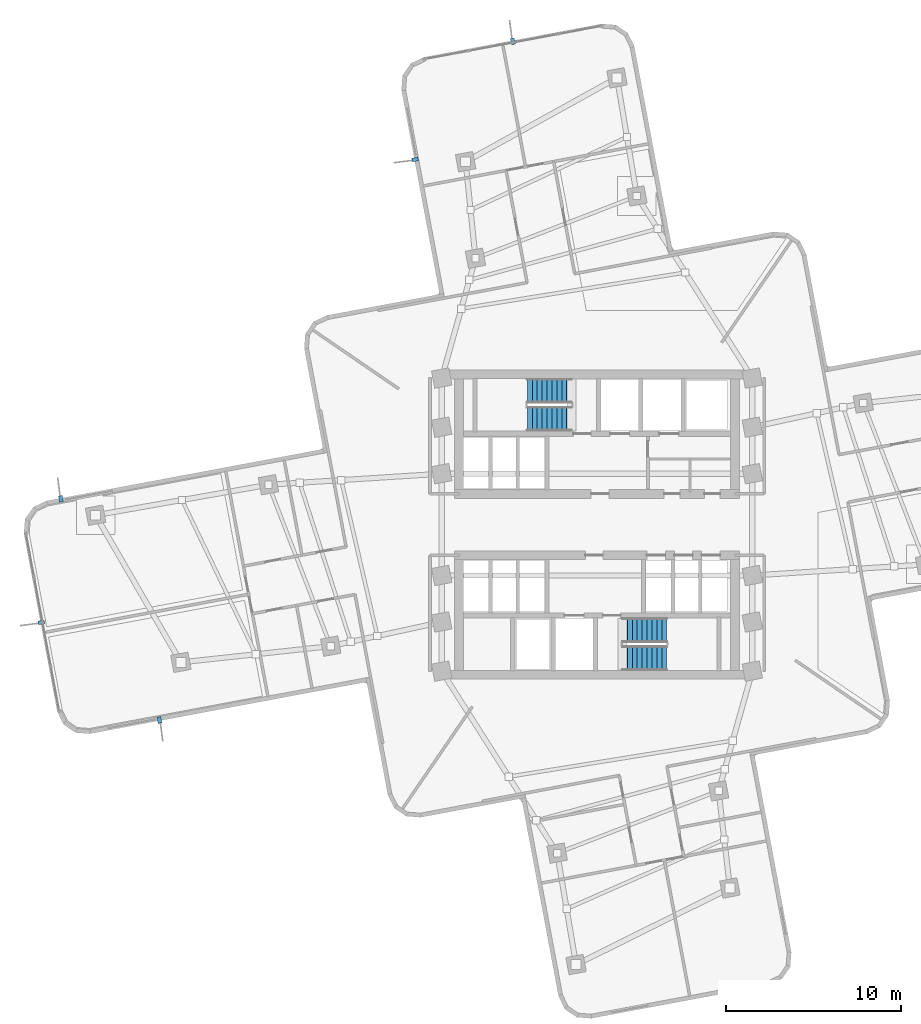
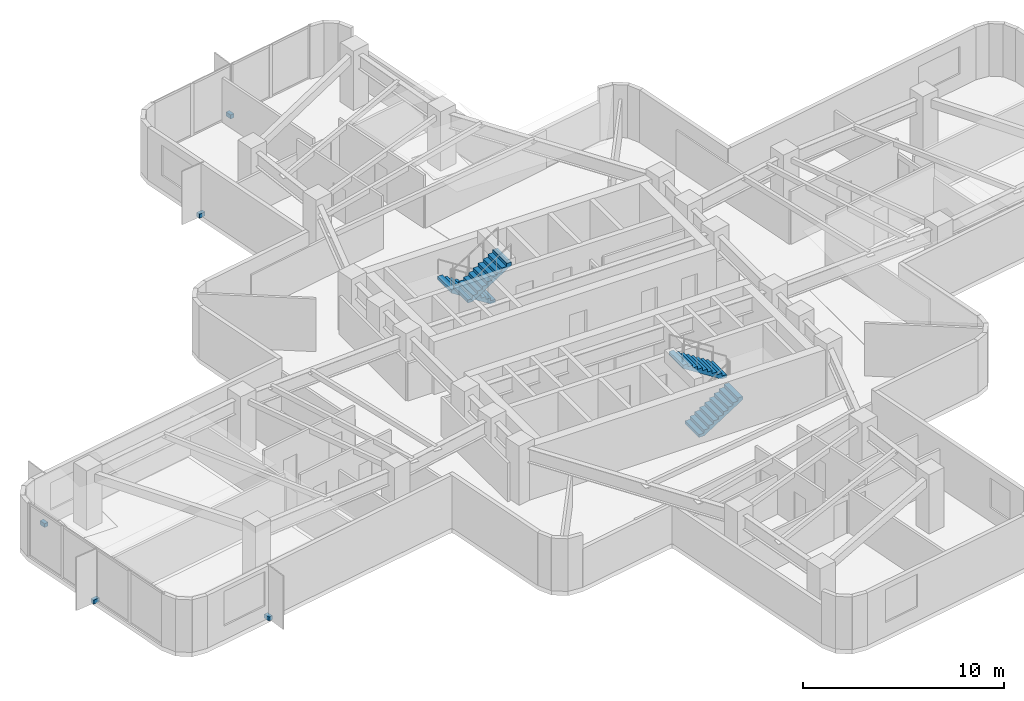
# One storey, part 9 of 12: 5 discrete accessories, 4 stair flights, 2 elements without a shape of their own.
"""IFC4 building model written with IfcOpenShell, lengths in metres."""

from ifc_helpers import new_model, si_unit, direction, frame, origin, origin_2d, place, context, subcontext, project, spatial, polyline, rectangle, outline, extrude, material, type_object, element, aggregate, save


model = new_model("IFC4")

# Units and contexts
model_context = context("Model", 3, precision=1e-05, world=origin(), true_north=direction((0.0, 1.0)))
body_context = subcontext(model_context, "Body", "Model", "MODEL_VIEW")
ifc_project = project(units=[si_unit("LENGTHUNIT", "METRE"), si_unit("AREAUNIT", "SQUARE_METRE"), si_unit("VOLUMEUNIT", "CUBIC_METRE"), si_unit("PLANEANGLEUNIT", "RADIAN"), si_unit("MASSUNIT", "GRAM", prefix="KILO")], contexts=[model_context])

# Site, building, storey
site_placement = place(None, origin())
site = spatial("IfcSite", under=ifc_project, at=site_placement, CompositionType="ELEMENT")
building_placement = place(site_placement, origin())
building = spatial("IfcBuilding", under=site, at=building_placement, Name="Solmarez Civic Tower", CompositionType="ELEMENT")
storey_placement = place(building_placement, frame((0.0, 0.0, 103.679931640625)))
storey = spatial("IfcBuildingStorey", under=building, at=storey_placement, Name="L27", CompositionType="ELEMENT", Elevation=103.679931640625)

# Stair, stair flights
ifc_material_1 = material(Name="Concrete C50/60", Category="concrete")
stair_type = type_object("IfcStairType", Name="STAIR-DOGLEG-140W-20R-1800", PredefinedType="HALF_TURN_STAIR", material=ifc_material_1)
stair_1_placement = place(storey_placement, origin())
stair_1 = element("IfcStair", 1, at=stair_1_placement, inside=storey, type_object=stair_type, Name="L27 North Core Protected Exit Stair ST-1", PredefinedType="HALF_TURN_STAIR")
stair_flight_type = type_object("IfcStairFlightType", Name="FLIGHT-DOGLEG-140W-10R-1800", PredefinedType="STRAIGHT", material=ifc_material_1)
stair_flight_1_placement = place(storey_placement, frame((-1.449951171875, 7.6201171875, 0.0), z_axis=(0.0, 0.0, 1.0), x_axis=(-1.0, 0.0, 0.0)))
stair_flight_1 = element("IfcStairFlight", 2, at=stair_flight_1_placement, type_object=stair_flight_type, Name="ST-1 flight 1", NumberOfRisers=10, NumberOfTreads=9, PredefinedType="STRAIGHT", RiserHeight=0.18, TreadLength=0.28, context=body_context, shape_type="SweptSolid", body=[
    extrude(outline(polyline([(0.0, 0.0), (0.0, 0.179931640625), (0.280029296875, 0.179931640625), (0.280029296875, 0.360107421875), (0.56005859375, 0.360107421875), (0.56005859375, 0.5400390625), (0.840087890625, 0.5400390625), (0.840087890625, 0.719970703125), (1.1201171875, 0.719970703125), (1.1201171875, 0.89990234375), (1.39990234375, 0.89990234375), (1.39990234375, 1.080078125), (1.679931640625, 1.080078125), (1.679931640625, 1.260009765625), (1.9599609375, 1.260009765625), (1.9599609375, 1.43994140625), (2.239990234375, 1.43994140625), (2.239990234375, 1.6201171875), (2.52001953125, 1.6201171875), (2.52001953125, 1.800048828125), (2.52001953125, 1.429931640625), (0.295654296875, 0.0), (0.0, 0.0)])), frame((0.0, 0.699951171875, 0.0), z_axis=(0.0, -1.0, 0.0), x_axis=(1.0, 0.0, 0.0)), (0.0, 0.0, 1.0), 1.39990234375),
])
stair_flight_2_placement = place(storey_placement, frame((-3.969970703125, 6.02001953125, 1.800048828125), z_axis=(0.0, 0.0, 1.0), x_axis=(1.0, 0.0, 0.0)))
stair_flight_2 = element("IfcStairFlight", 3, at=stair_flight_2_placement, type_object=stair_flight_type, Name="ST-1 flight 2", NumberOfRisers=10, NumberOfTreads=9, PredefinedType="STRAIGHT", RiserHeight=0.18, TreadLength=0.28, context=body_context, shape_type="SweptSolid", body=[
    extrude(outline(polyline([(0.0, 0.0), (0.0, 0.179931640625), (0.280029296875, 0.179931640625), (0.280029296875, 0.360107421875), (0.56005859375, 0.360107421875), (0.56005859375, 0.5400390625), (0.840087890625, 0.5400390625), (0.840087890625, 0.719970703125), (1.1201171875, 0.719970703125), (1.1201171875, 0.89990234375), (1.39990234375, 0.89990234375), (1.39990234375, 1.080078125), (1.679931640625, 1.080078125), (1.679931640625, 1.260009765625), (1.9599609375, 1.260009765625), (1.9599609375, 1.43994140625), (2.239990234375, 1.43994140625), (2.239990234375, 1.6201171875), (2.52001953125, 1.6201171875), (2.52001953125, 1.800048828125), (2.52001953125, 1.429931640625), (0.295654296875, 0.0), (0.0, 0.0)])), frame((0.0, 0.699951171875, 0.0), z_axis=(0.0, -1.0, 0.0), x_axis=(1.0, 0.0, 0.0)), (0.0, 0.0, 1.0), 1.39990234375),
])
aggregate(stair_1, [stair_flight_1, stair_flight_2])

stair_2_placement = place(storey_placement, origin())
stair_2 = element("IfcStair", 4, at=stair_2_placement, inside=storey, type_object=stair_type, Name="L27 South Core Protected Exit Stair ST-2", PredefinedType="HALF_TURN_STAIR")
stair_flight_3_placement = place(storey_placement, frame((1.449951171875, -7.6201171875, 0.0), z_axis=(0.0, 0.0, 1.0), x_axis=(1.0, 0.0, 0.0)))
stair_flight_3 = element("IfcStairFlight", 5, at=stair_flight_3_placement, type_object=stair_flight_type, Name="ST-2 flight 1", NumberOfRisers=10, NumberOfTreads=9, PredefinedType="STRAIGHT", RiserHeight=0.18, TreadLength=0.28, context=body_context, shape_type="SweptSolid", body=[
    extrude(outline(polyline([(0.0, 0.0), (0.0, 0.179931640625), (0.280029296875, 0.179931640625), (0.280029296875, 0.360107421875), (0.56005859375, 0.360107421875), (0.56005859375, 0.5400390625), (0.840087890625, 0.5400390625), (0.840087890625, 0.719970703125), (1.1201171875, 0.719970703125), (1.1201171875, 0.89990234375), (1.39990234375, 0.89990234375), (1.39990234375, 1.080078125), (1.679931640625, 1.080078125), (1.679931640625, 1.260009765625), (1.9599609375, 1.260009765625), (1.9599609375, 1.43994140625), (2.239990234375, 1.43994140625), (2.239990234375, 1.6201171875), (2.52001953125, 1.6201171875), (2.52001953125, 1.800048828125), (2.52001953125, 1.429931640625), (0.295654296875, 0.0), (0.0, 0.0)])), frame((0.0, 0.699951171875, 0.0), z_axis=(0.0, -1.0, 0.0), x_axis=(1.0, 0.0, 0.0)), (0.0, 0.0, 1.0), 1.39990234375),
])
stair_flight_4_placement = place(storey_placement, frame((3.969970703125, -6.02001953125, 1.800048828125), z_axis=(0.0, 0.0, 1.0), x_axis=(-1.0, 0.0, 0.0)))
stair_flight_4 = element("IfcStairFlight", 6, at=stair_flight_4_placement, type_object=stair_flight_type, Name="ST-2 flight 2", NumberOfRisers=10, NumberOfTreads=9, PredefinedType="STRAIGHT", RiserHeight=0.18, TreadLength=0.28, context=body_context, shape_type="SweptSolid", body=[
    extrude(outline(polyline([(0.0, 0.0), (0.0, 0.179931640625), (0.280029296875, 0.179931640625), (0.280029296875, 0.360107421875), (0.56005859375, 0.360107421875), (0.56005859375, 0.5400390625), (0.840087890625, 0.5400390625), (0.840087890625, 0.719970703125), (1.1201171875, 0.719970703125), (1.1201171875, 0.89990234375), (1.39990234375, 0.89990234375), (1.39990234375, 1.080078125), (1.679931640625, 1.080078125), (1.679931640625, 1.260009765625), (1.9599609375, 1.260009765625), (1.9599609375, 1.43994140625), (2.239990234375, 1.43994140625), (2.239990234375, 1.6201171875), (2.52001953125, 1.6201171875), (2.52001953125, 1.800048828125), (2.52001953125, 1.429931640625), (0.295654296875, 0.0), (0.0, 0.0)])), frame((0.0, 0.699951171875, 0.0), z_axis=(0.0, -1.0, 0.0), x_axis=(1.0, 0.0, 0.0)), (0.0, 0.0, 1.0), 1.39990234375),
])
aggregate(stair_2, [stair_flight_3, stair_flight_4])

# Discrete accessories
ifc_material_2 = material(Name="Stainless Steel Grade 1.4401", Category="steel")
discrete_accessory_type = type_object("IfcDiscreteAccessoryType", Name="BRACKET-SS-FIN", PredefinedType="BRACKET", material=ifc_material_2)
for number, where, z_axis, x_axis, name in (
    (7, (-24.93701171875, -11.136962890625, -0.06005859375), (0.0, 0.0, 1.0), (0.183982037315, -0.982929605794, 0.0), "L27 Stainless Fin Support Bracket FIN-L27-01"),
    (8, (-31.676025390625, -5.572021484375, -0.06005859375), (0.0, 0.0, 1.0), (-0.982950377229, -0.183871030631, 0.0), "L27 Stainless Fin Support Bracket FIN-L27-02"),
    (9, (-30.550048828125, 1.465087890625, -0.06005859375), (0.0, 0.0, 1.0), (-0.183982037315, 0.982929605794, 0.0), "L27 Stainless Fin Support Bracket FIN-L27-03"),
    (10, (-10.364013671875, 20.80810546875, -0.06005859375), (0.0, 0.0, 1.0), (-0.982934634154, -0.183955171115, 0.0), "L27 Stainless Fin Support Bracket FIN-L27-04"),
    (11, (-4.799072265625, 27.547119140625, -0.06005859375), (0.0, 0.0, 1.0), (-0.183965124832, 0.982932771275, 0.0), "L27 Stainless Fin Support Bracket FIN-L27-05"),
):
    element("IfcDiscreteAccessory", number, at=place(storey_placement, frame(where, z_axis=z_axis, x_axis=x_axis)), inside=storey, type_object=discrete_accessory_type, Name=name, PredefinedType="BRACKET", context=body_context, shape_type="SweptSolid", body=[
        extrude(rectangle(XDim=0.360107421875, YDim=0.219970703125, at=origin_2d()), origin(), (0.0, 0.0, 1.0), 0.239990234375),
    ])

save(model, "model.ifc")
